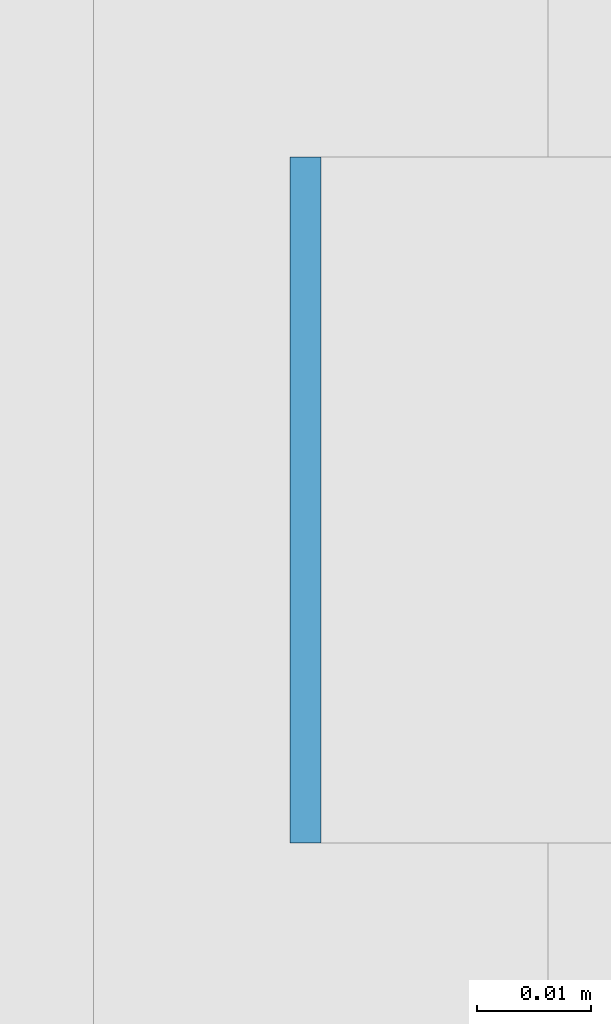
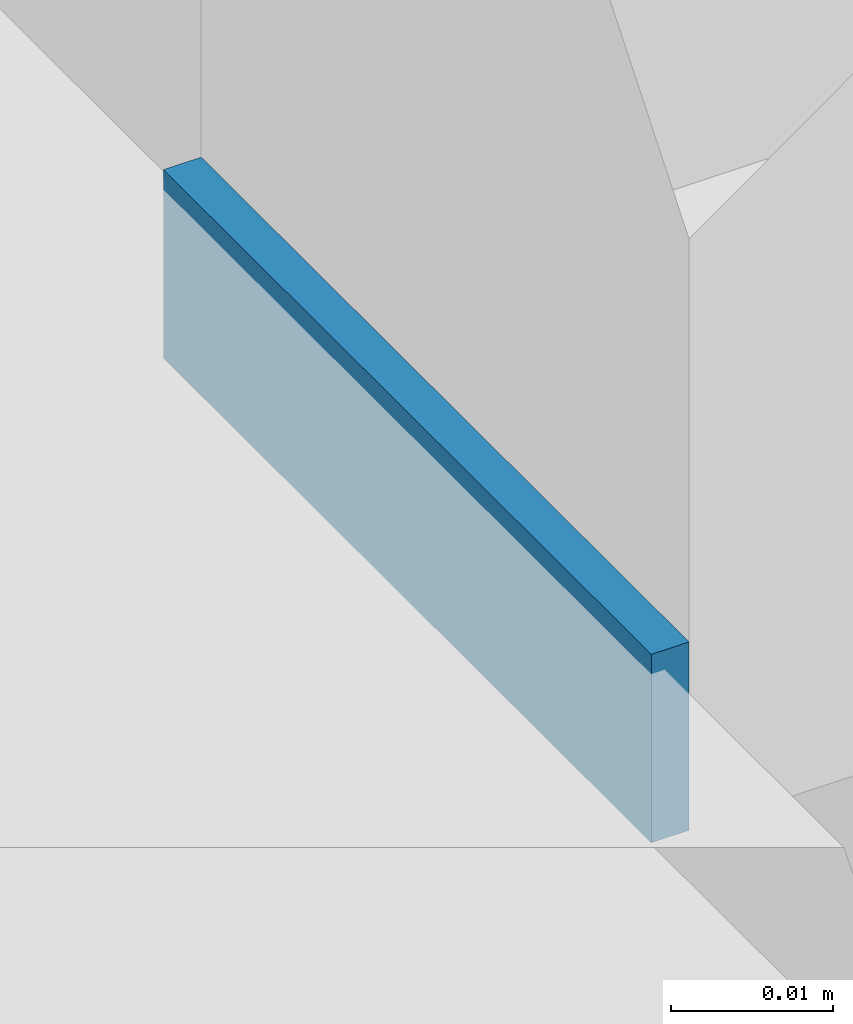
# One storey, part 562 of 646: 1 discrete accessory.
"""IFC4 building model written with IfcOpenShell, lengths in metres."""

from ifc_helpers import new_model, si_unit, direction, frame, origin, origin_2d, place, context, subcontext, project, spatial, rectangle, extrude, material, type_object, element, save


model = new_model("IFC4")

# Units and contexts
model_context = context("Model", 3, precision=1e-05, world=origin(), true_north=direction((0.0, 1.0)))
body_context = subcontext(model_context, "Body", "Model", "MODEL_VIEW")
ifc_project = project(units=[si_unit("LENGTHUNIT", "METRE"), si_unit("AREAUNIT", "SQUARE_METRE"), si_unit("VOLUMEUNIT", "CUBIC_METRE"), si_unit("PLANEANGLEUNIT", "RADIAN"), si_unit("MASSUNIT", "GRAM", prefix="KILO")], contexts=[model_context])

# Site, building, storey
site_placement = place(None, origin())
site = spatial("IfcSite", under=ifc_project, at=site_placement, CompositionType="ELEMENT")
building_placement = place(site_placement, origin())
building = spatial("IfcBuilding", under=site, at=building_placement, Name="Silverbay Arena", CompositionType="ELEMENT")
storey_placement = place(building_placement, frame((0.0, 0.0, 33.5)))
storey = spatial("IfcBuildingStorey", under=building, at=storey_placement, Name="L05", CompositionType="ELEMENT", Elevation=33.5)

# Discrete accessory
ifc_material = material(Name="Steel S355", Category="steel")
discrete_accessory_type = type_object("IfcDiscreteAccessoryType", Name="Steel bracket plate", PredefinedType="BRACKET", material=ifc_material)
discrete_accessory_placement = place(storey_placement, frame((207.128662109375, 101.571533203125, 4.0), z_axis=(0.0, 0.0, 1.0), x_axis=(1.0, 0.0, 0.0)))
element("IfcDiscreteAccessory", 1, at=discrete_accessory_placement, inside=storey, type_object=discrete_accessory_type, Name="Curtain wall packing plate", PredefinedType="BRACKET", context=body_context, shape_type="SweptSolid", body=[
    extrude(rectangle(XDim=0.002685546875, YDim=0.06005859375, at=origin_2d()), origin(), (0.0, 0.0, 1.0), 0.01416015625),
])

save(model, "model.ifc")
